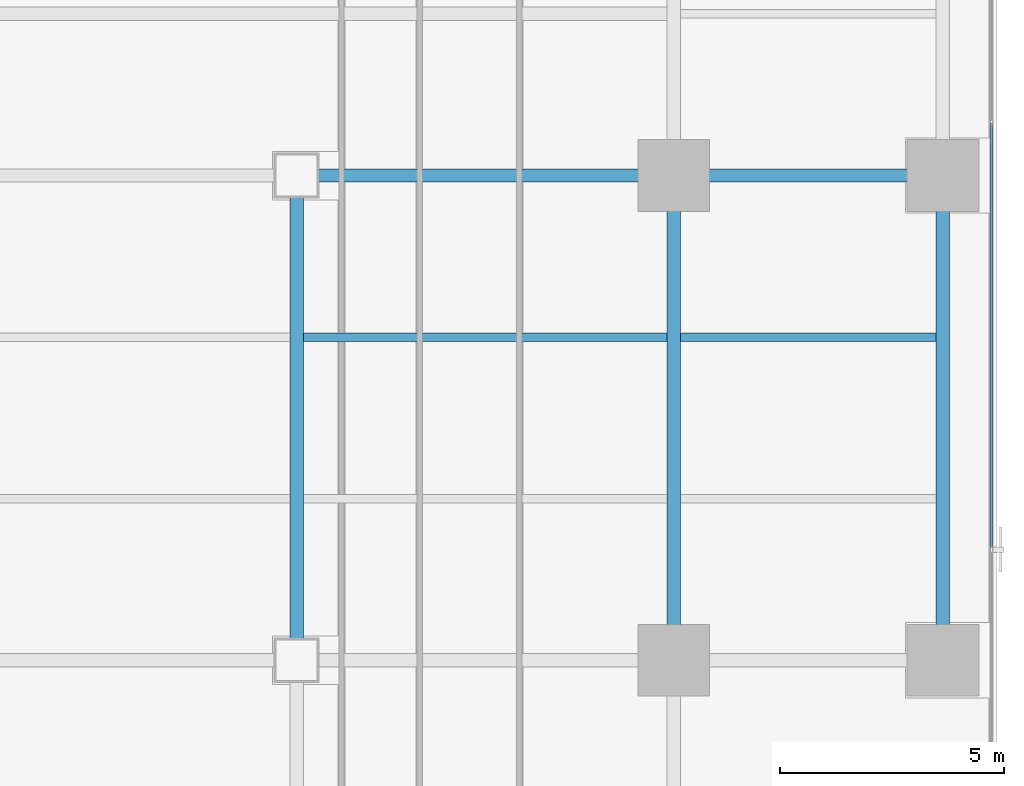
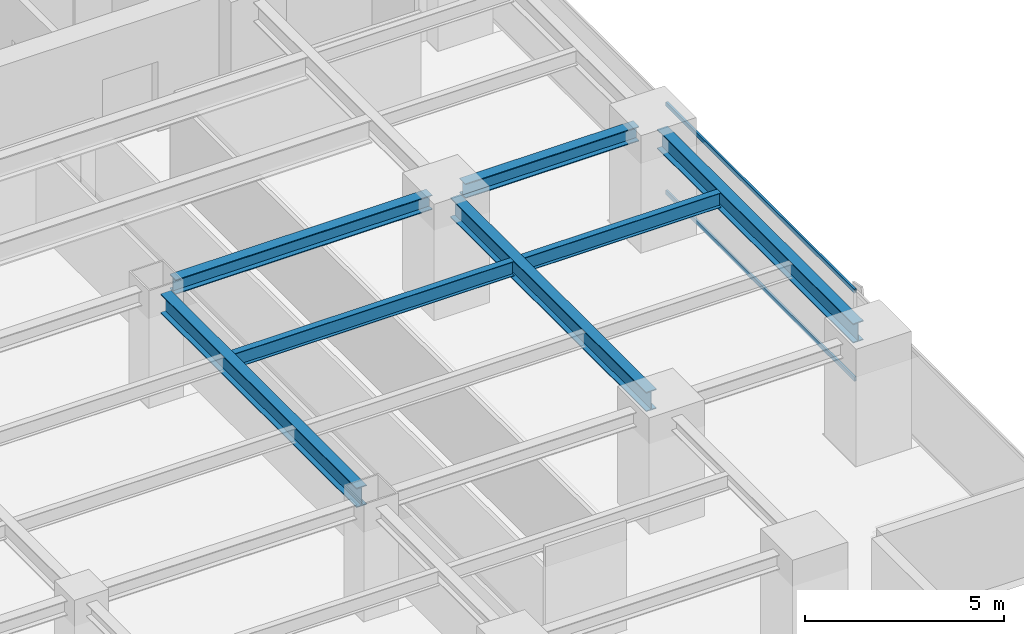
# One storey, part 12 of 27: 7 beams, 2 members, 1 element without a shape of its own.
"""IFC4 building model written with IfcOpenShell, lengths in metres."""

from ifc_helpers import new_model, si_unit, direction, frame, origin, origin_2d, place, context, subcontext, project, spatial, hollow_rectangle, i_section, extrude, source, transform, mapped, material, layer, layer_set, material_profile, profile_set, type_object, element, aggregate, save


model = new_model("IFC4")

# Units and contexts
model_context = context("Model", 3, precision=1e-05, world=origin(), true_north=direction((0.0, 1.0)))
body_context = subcontext(model_context, "Body", "Model", "MODEL_VIEW")
ifc_project = project(units=[si_unit("LENGTHUNIT", "METRE"), si_unit("AREAUNIT", "SQUARE_METRE"), si_unit("VOLUMEUNIT", "CUBIC_METRE"), si_unit("PLANEANGLEUNIT", "RADIAN"), si_unit("MASSUNIT", "GRAM", prefix="KILO")], contexts=[model_context])

# Site, building, storey
site_placement = place(None, origin())
site = spatial("IfcSite", under=ifc_project, at=site_placement, CompositionType="ELEMENT")
building_placement = place(site_placement, origin())
building = spatial("IfcBuilding", under=site, at=building_placement, Name="Sumidabori Civic Tower", CompositionType="ELEMENT")
storey_placement = place(building_placement, frame((0.0, 0.0, 138.800048828125)))
storey = spatial("IfcBuildingStorey", under=building, at=storey_placement, Name="L35", CompositionType="ELEMENT", Elevation=138.800048828125)

# Beams
ifc_material_1 = material(Name="Steel SN490", Category="steel")
ifc_material_profile_1 = material_profile(ifc_material_1, i_section(OverallWidth=0.300048828125, OverallDepth=0.60009765625, WebThickness=0.015380859375, FlangeThickness=0.030029296875, at=origin_2d()), Name="HE 600 B")
ifc_profile_set_1 = profile_set([ifc_material_profile_1], Name="Steel SN490")
beam_type_1 = type_object("IfcBeamType", Name="BM-GIRD-600", PredefinedType="BEAM", material=ifc_profile_set_1)
shared_shape_1 = source(origin(), body_context, "Body", "SweptSolid", [
    extrude(i_section(OverallWidth=0.300048828125, OverallDepth=0.60009765625, WebThickness=0.015380859375, FlangeThickness=0.030029296875, at=origin_2d()), origin(), (0.0, 0.0, 1.0), 9.840087890625),
])
for number, where, z_axis, x_axis, name in (
    (1, (8.39990234375, -10.320068359375, 3.079833984375), (0.0, 1.0, 0.0), (-1.0, 0.0, 0.0), "Primary Girder L35 GY-31"),
    (2, (16.800048828125, -10.320068359375, 3.079833984375), (0.0, 1.0, 0.0), (-1.0, 0.0, 0.0), "Primary Girder L35 GY-33"),
    (3, (22.800048828125, -10.320068359375, 3.079833984375), (0.0, 1.0, 0.0), (-1.0, 0.0, 0.0), "Primary Girder L35 GY-36"),
):
    element("IfcBeam", number, at=place(storey_placement, frame(where, z_axis=z_axis, x_axis=x_axis)), inside=storey, type_object=beam_type_1, Name=name, PredefinedType="BEAM", context=body_context, shape_type="MappedRepresentation", body=[
        mapped(shared_shape_1, transform((0.0, 0.0, 0.0), x_axis=(1.0, 0.0, 0.0), y_axis=(0.0, 1.0, 0.0), z_axis=(0.0, 0.0, 1.0), scale=1.0)),
    ])
ifc_material_profile_2 = material_profile(ifc_material_1, i_section(OverallWidth=0.18994140625, OverallDepth=0.449951171875, WebThickness=0.009521484375, FlangeThickness=0.0146484375, at=origin_2d()), Name="IPE 450")
ifc_profile_set_2 = profile_set([ifc_material_profile_2], Name="Steel SN490")
beam_type_2 = type_object("IfcBeamType", Name="BM-JST-450", PredefinedType="JOIST", material=ifc_profile_set_2)
shared_shape_2 = source(origin(), body_context, "Body", "SweptSolid", [
    extrude(i_section(OverallWidth=0.18994140625, OverallDepth=0.449951171875, WebThickness=0.009521484375, FlangeThickness=0.0146484375, at=origin_2d()), origin(), (0.0, 0.0, 1.0), 5.699951171875),
])
beam_1_placement = place(storey_placement, frame((16.949951171875, -3.60009765625, 3.155029296875), z_axis=(1.0, 0.0, 0.0), x_axis=(0.0, 1.0, 0.0)))
element("IfcBeam", 4, at=beam_1_placement, inside=storey, type_object=beam_type_2, Name="Outer Bay Floor Joist L35 JSTO-42", PredefinedType="JOIST", context=body_context, shape_type="MappedRepresentation", body=[
    mapped(shared_shape_2, transform((0.0, 0.0, 0.0), x_axis=(1.0, 0.0, 0.0), y_axis=(0.0, 1.0, 0.0), z_axis=(0.0, 0.0, 1.0), scale=1.0)),
])
shared_shape_3 = source(origin(), body_context, "Body", "SweptSolid", [
    extrude(i_section(OverallWidth=0.18994140625, OverallDepth=0.449951171875, WebThickness=0.009521484375, FlangeThickness=0.0146484375, at=origin_2d()), origin(), (0.0, 0.0, 1.0), 8.099853515625),
])
beam_2_placement = place(storey_placement, frame((8.550048828125, -3.60009765625, 3.155029296875), z_axis=(1.0, 0.0, 0.0), x_axis=(0.0, 1.0, 0.0)))
element("IfcBeam", 5, at=beam_2_placement, inside=storey, type_object=beam_type_2, Name="South Bay Floor Joist L35 JSTS-60", PredefinedType="JOIST", context=body_context, shape_type="MappedRepresentation", body=[
    mapped(shared_shape_3, transform((0.0, 0.0, 0.0), x_axis=(1.0, 0.0, 0.0), y_axis=(0.0, 1.0, 0.0), z_axis=(0.0, 0.0, 1.0), scale=1.0)),
])
ifc_material_profile_3 = material_profile(ifc_material_1, i_section(OverallWidth=0.300048828125, OverallDepth=0.449951171875, WebThickness=0.013916015625, FlangeThickness=0.02587890625, at=origin_2d()), Name="HE 450 B")
ifc_profile_set_3 = profile_set([ifc_material_profile_3], Name="Steel SN490")
beam_type_3 = type_object("IfcBeamType", Name="BM-GIRD-450", PredefinedType="BEAM", material=ifc_profile_set_3)
shared_shape_4 = source(origin(), body_context, "Body", "SweptSolid", [
    extrude(i_section(OverallWidth=0.300048828125, OverallDepth=0.449951171875, WebThickness=0.013916015625, FlangeThickness=0.02587890625, at=origin_2d()), origin(), (0.0, 0.0, 1.0), 7.440185546875),
])
beam_3_placement = place(storey_placement, frame((8.8798828125, 0.0, 3.155029296875), z_axis=(1.0, 0.0, 0.0), x_axis=(0.0, 1.0, 0.0)))
element("IfcBeam", 6, at=beam_3_placement, inside=storey, type_object=beam_type_3, Name="Primary Girder L35 GX-15", PredefinedType="BEAM", context=body_context, shape_type="MappedRepresentation", body=[
    mapped(shared_shape_4, transform((0.0, 0.0, 0.0), x_axis=(1.0, 0.0, 0.0), y_axis=(0.0, 1.0, 0.0), z_axis=(0.0, 0.0, 1.0), scale=1.0)),
])
shared_shape_5 = source(origin(), body_context, "Body", "SweptSolid", [
    extrude(i_section(OverallWidth=0.300048828125, OverallDepth=0.449951171875, WebThickness=0.013916015625, FlangeThickness=0.02587890625, at=origin_2d()), origin(), (0.0, 0.0, 1.0), 5.0400390625),
])
beam_4_placement = place(storey_placement, frame((17.280029296875, 0.0, 3.155029296875), z_axis=(1.0, 0.0, 0.0), x_axis=(0.0, 1.0, 0.0)))
element("IfcBeam", 7, at=beam_4_placement, inside=storey, type_object=beam_type_3, Name="Primary Girder L35 GX-16", PredefinedType="BEAM", context=body_context, shape_type="MappedRepresentation", body=[
    mapped(shared_shape_5, transform((0.0, 0.0, 0.0), x_axis=(1.0, 0.0, 0.0), y_axis=(0.0, 1.0, 0.0), z_axis=(0.0, 0.0, 1.0), scale=1.0)),
])

# Curtain wall, members
ifc_material_2 = material(Name="Anodised Bronze Aluminium AW-6063-T6", Category="aluminium")
ifc_layer = layer(ifc_material_2, 0.179931640625, Name="Anodised Bronze Aluminium AW-6063-T6")
ifc_layer_set = layer_set([ifc_layer], Name="Anodised Bronze Aluminium AW-6063-T6")
curtain_wall_type = type_object("IfcCurtainWallType", Name="CW-SYS-3", PredefinedType="NOTDEFINED", material=ifc_layer_set)
curtain_wall_placement = place(storey_placement, origin())
curtain_wall = element("IfcCurtainWall", 8, at=curtain_wall_placement, inside=storey, type_object=curtain_wall_type, Name="Curtain Wall CW:L35:R04", PredefinedType="NOTDEFINED")
ifc_material_profile_4 = material_profile(ifc_material_2, hollow_rectangle(XDim=0.06005859375, YDim=0.1298828125, WallThickness=0.0048828125, at=origin_2d()), Name="ALU TRANSOM 130x60")
ifc_profile_set_4 = profile_set([ifc_material_profile_4], Name="Anodised Bronze Aluminium AW-6063-T6")
member_type = type_object("IfcMemberType", Name="CW-TRN-130", PredefinedType="USERDEFINED", material=ifc_profile_set_4)
shared_shape_6 = source(origin(), body_context, "Body", "SweptSolid", [
    extrude(hollow_rectangle(XDim=0.06005859375, YDim=0.1298828125, WallThickness=0.0048828125, at=origin_2d()), origin(), (0.0, 0.0, 1.0), 9.469970703125),
])
member_1_placement = place(storey_placement, frame((23.8798828125, -8.302490234375, 0.030029296875), z_axis=(0.0, 1.0, 0.0), x_axis=(-1.0, 0.0, 0.0)))
member_1 = element("IfcMember", 9, at=member_1_placement, type_object=member_type, Name="CW-3 transom 2.1", ObjectType="TRANSOM", PredefinedType="USERDEFINED", context=body_context, shape_type="MappedRepresentation", body=[
    mapped(shared_shape_6, transform((0.0, 0.0, 0.0), x_axis=(1.0, 0.0, 0.0), y_axis=(0.0, 1.0, 0.0), z_axis=(0.0, 0.0, 1.0), scale=1.0)),
])
member_2_placement = place(storey_placement, frame((23.8798828125, -8.302490234375, 2.72998046875), z_axis=(0.0, 1.0, 0.0), x_axis=(-1.0, 0.0, 0.0)))
member_2 = element("IfcMember", 10, at=member_2_placement, type_object=member_type, Name="CW-3 transom 2.2", ObjectType="TRANSOM", PredefinedType="USERDEFINED", context=body_context, shape_type="MappedRepresentation", body=[
    mapped(shared_shape_6, transform((0.0, 0.0, 0.0), x_axis=(1.0, 0.0, 0.0), y_axis=(0.0, 1.0, 0.0), z_axis=(0.0, 0.0, 1.0), scale=1.0)),
])
aggregate(curtain_wall, [member_1, member_2])

save(model, "model.ifc")
